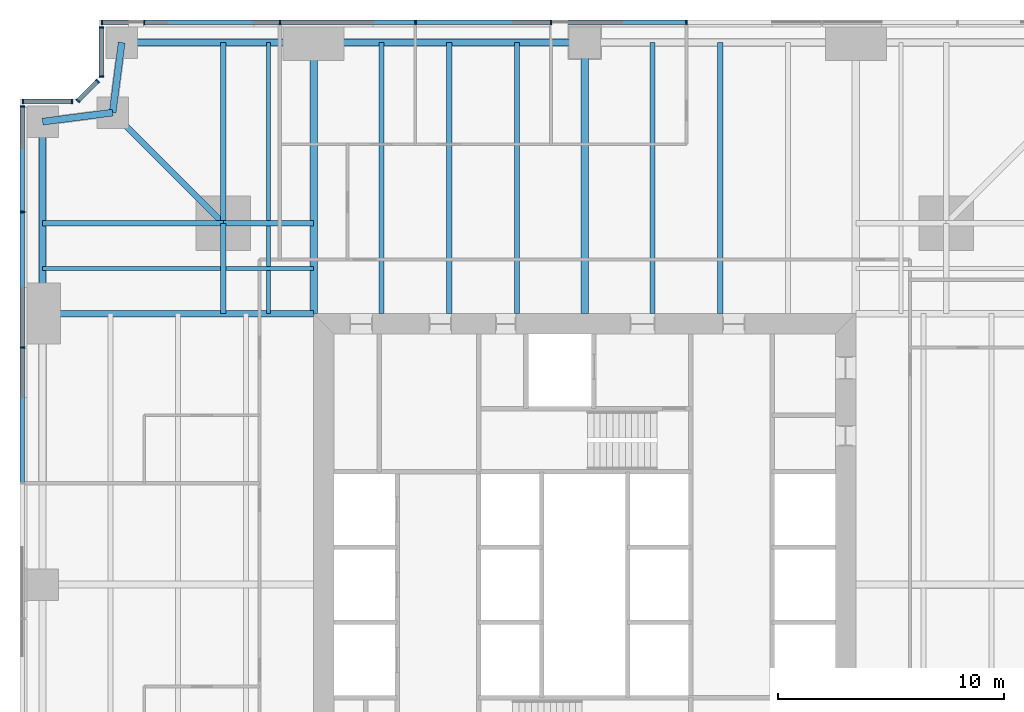
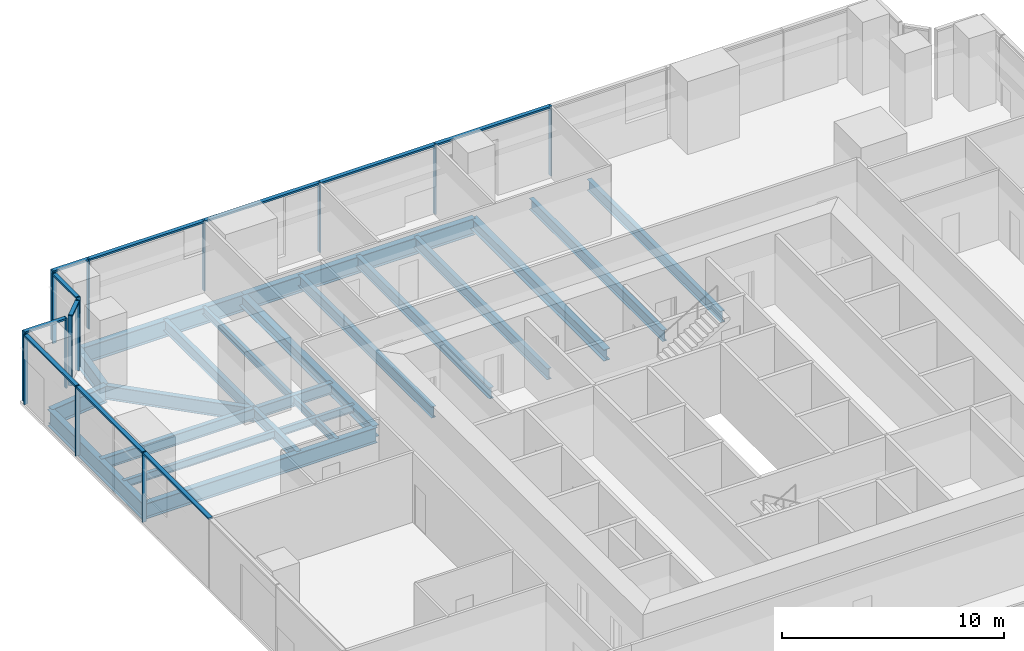
# One storey, part 6 of 14: 26 members, 23 beams, 5 elements without a shape of their own.
"""IFC4 building model written with IfcOpenShell, lengths in metres."""

from ifc_helpers import new_model, si_unit, direction, frame, origin, origin_2d, place, context, subcontext, project, spatial, rectangle, i_section, extrude, material, material_profile, profile_set, type_object, element, aggregate, save


model = new_model("IFC4")

# Units and contexts
model_context = context("Model", 3, precision=1e-05, world=origin(), true_north=direction((0.0, 1.0)))
body_context = subcontext(model_context, "Body", "Model", "MODEL_VIEW")
ifc_project = project(units=[si_unit("LENGTHUNIT", "METRE"), si_unit("AREAUNIT", "SQUARE_METRE"), si_unit("VOLUMEUNIT", "CUBIC_METRE"), si_unit("PLANEANGLEUNIT", "RADIAN"), si_unit("MASSUNIT", "GRAM", prefix="KILO")], contexts=[model_context])

# Site, building, storey
site_placement = place(None, origin())
site = spatial("IfcSite", under=ifc_project, at=site_placement, CompositionType="ELEMENT")
building_placement = place(site_placement, origin())
building = spatial("IfcBuilding", under=site, at=building_placement, Name="Fenwick Lantern Interchange", CompositionType="ELEMENT")
storey_placement = place(building_placement, frame((0.0, 0.0, 83.0)))
storey = spatial("IfcBuildingStorey", under=building, at=storey_placement, Name="L19", CompositionType="ELEMENT", Elevation=83.0)

# Beams
ifc_material_1 = material(Name="Steel ASTM A992 Grade 50", Category="steel")
ifc_material_profile_1 = material_profile(ifc_material_1, i_section(OverallWidth=0.3046875, OverallDepth=0.911865234375, WebThickness=0.015869140625, FlangeThickness=0.02392578125, at=origin_2d()), Name="W36X150")
ifc_profile_set_1 = profile_set([ifc_material_profile_1], Name="Steel ASTM A992 Grade 50")
beam_type_1 = type_object("IfcBeamType", Name="EDGE BEAM W36X150", PredefinedType="SPANDREL", material=ifc_profile_set_1)
beam_1_placement = place(storey_placement, frame((25.0, 49.0, -0.60595703125), z_axis=(-1.0, 0.0, 0.0), x_axis=(0.0, -1.0, 0.0)))
element("IfcBeam", 1, at=beam_1_placement, inside=storey, type_object=beam_type_1, Name="L19/FR/N/EB3", PredefinedType="SPANDREL", context=body_context, shape_type="SweptSolid", body=[
    extrude(i_section(OverallWidth=0.3046875, OverallDepth=0.911865234375, WebThickness=0.015869140625, FlangeThickness=0.02392578125, at=origin_2d()), origin(), (0.0, 0.0, 1.0), 12.0),
])
beam_2_placement = place(storey_placement, frame((13.0, 49.0, -0.60595703125), z_axis=(-1.0, 0.0, 0.0), x_axis=(0.0, -1.0, 0.0)))
element("IfcBeam", 2, at=beam_2_placement, inside=storey, type_object=beam_type_1, Name="L19/FR/N/EB4", PredefinedType="SPANDREL", context=body_context, shape_type="SweptSolid", body=[
    extrude(i_section(OverallWidth=0.3046875, OverallDepth=0.911865234375, WebThickness=0.015869140625, FlangeThickness=0.02392578125, at=origin_2d()), origin(), (0.0, 0.0, 1.0), 8.5),
])
for number, where, z_axis, x_axis, name in (
    (3, (4.5, 49.0, -0.60595703125), (-0.127936641807, -0.991782342897, 0.0), (0.991782342897, -0.127936641807, 0.0), "L19/FR/N/EBR1"),
    (4, (4.10009765625, 45.89990234375, -0.60595703125), (-0.991782342897, -0.127936641807, 0.0), (0.127936641807, -0.991782342897, 0.0), "L19/FR/N/EBR2"),
):
    element("IfcBeam", number, at=place(storey_placement, frame(where, z_axis=z_axis, x_axis=x_axis)), inside=storey, type_object=beam_type_1, Name=name, PredefinedType="SPANDREL", context=body_context, shape_type="SweptSolid", body=[
        extrude(i_section(OverallWidth=0.3046875, OverallDepth=0.911865234375, WebThickness=0.015869140625, FlangeThickness=0.02392578125, at=origin_2d()), origin(), (0.0, 0.0, 1.0), 3.125732421875),
    ])
beam_3_placement = place(storey_placement, frame((1.0, 45.5, -0.60595703125), z_axis=(0.0, -1.0, 0.0), x_axis=(1.0, 0.0, 0.0)))
element("IfcBeam", 5, at=beam_3_placement, inside=storey, type_object=beam_type_1, Name="L19/FR/W/EB1", PredefinedType="SPANDREL", context=body_context, shape_type="SweptSolid", body=[
    extrude(i_section(OverallWidth=0.3046875, OverallDepth=0.911865234375, WebThickness=0.015869140625, FlangeThickness=0.02392578125, at=origin_2d()), origin(), (0.0, 0.0, 1.0), 8.5),
])
ifc_material_profile_2 = material_profile(ifc_material_1, i_section(OverallWidth=0.22900390625, OverallDepth=0.612060546875, WebThickness=0.011962890625, FlangeThickness=0.01953125, at=origin_2d()), Name="W24X84")
ifc_profile_set_2 = profile_set([ifc_material_profile_2], Name="Steel ASTM A992 Grade 50")
beam_type_2 = type_object("IfcBeamType", Name="FLOOR BEAM W24X84", PredefinedType="BEAM", material=ifc_profile_set_2)
for number, where, z_axis, x_axis, name in (
    (6, (31.0, 49.0, -0.4560546875), (0.0, -1.0, 0.0), (1.0, 0.0, 0.0), "L19/FR/N/R03"),
    (7, (28.0, 49.0, -0.4560546875), (0.0, -1.0, 0.0), (1.0, 0.0, 0.0), "L19/FR/N/R04"),
    (8, (22.0, 49.0, -0.4560546875), (0.0, -1.0, 0.0), (1.0, 0.0, 0.0), "L19/FR/N/R06"),
    (9, (19.0, 49.0, -0.4560546875), (0.0, -1.0, 0.0), (1.0, 0.0, 0.0), "L19/FR/N/R07"),
    (10, (16.0, 49.0, -0.4560546875), (0.0, -1.0, 0.0), (1.0, 0.0, 0.0), "L19/FR/N/R08"),
):
    element("IfcBeam", number, at=place(storey_placement, frame(where, z_axis=z_axis, x_axis=x_axis)), inside=storey, type_object=beam_type_2, Name=name, PredefinedType="BEAM", context=body_context, shape_type="SweptSolid", body=[
        extrude(i_section(OverallWidth=0.22900390625, OverallDepth=0.612060546875, WebThickness=0.011962890625, FlangeThickness=0.01953125, at=origin_2d()), origin(), (0.0, 0.0, 1.0), 12.0),
    ])
ifc_material_profile_3 = material_profile(ifc_material_1, i_section(OverallWidth=0.177734375, OverallDepth=0.406494140625, WebThickness=0.0078125, FlangeThickness=0.012939453125, at=origin_2d()), Name="W16X40")
ifc_profile_set_3 = profile_set([ifc_material_profile_3], Name="Steel ASTM A992 Grade 50")
beam_type_3 = type_object("IfcBeamType", Name="INFILL BEAM W16X40", PredefinedType="JOIST", material=ifc_profile_set_3)
beam_4_placement = place(storey_placement, frame((1.0, 39.0, -0.353271484375), z_axis=(1.0, 0.0, 0.0), x_axis=(0.0, 1.0, 0.0)))
element("IfcBeam", 11, at=beam_4_placement, inside=storey, type_object=beam_type_3, Name="L19/FR/W/J1", PredefinedType="JOIST", context=body_context, shape_type="SweptSolid", body=[
    extrude(i_section(OverallWidth=0.177734375, OverallDepth=0.406494140625, WebThickness=0.0078125, FlangeThickness=0.012939453125, at=origin_2d()), origin(), (0.0, 0.0, 1.0), 7.885498046875),
])
beam_5_placement = place(storey_placement, frame((9.114501953125, 39.0, -0.353271484375), z_axis=(1.0, 0.0, 0.0), x_axis=(0.0, 1.0, 0.0)))
element("IfcBeam", 12, at=beam_5_placement, inside=storey, type_object=beam_type_3, Name="L19/FR/W/J2", PredefinedType="JOIST", context=body_context, shape_type="SweptSolid", body=[
    extrude(i_section(OverallWidth=0.177734375, OverallDepth=0.406494140625, WebThickness=0.0078125, FlangeThickness=0.012939453125, at=origin_2d()), origin(), (0.0, 0.0, 1.0), 3.885498046875),
])
beam_6_placement = place(storey_placement, frame((11.0, 49.0, -0.353271484375), z_axis=(0.0, -1.0, 0.0), x_axis=(1.0, 0.0, 0.0)))
element("IfcBeam", 13, at=beam_6_placement, inside=storey, type_object=beam_type_3, Name="L19/FR/W/J3", PredefinedType="JOIST", context=body_context, shape_type="SweptSolid", body=[
    extrude(i_section(OverallWidth=0.177734375, OverallDepth=0.406494140625, WebThickness=0.0078125, FlangeThickness=0.012939453125, at=origin_2d()), origin(), (0.0, 0.0, 1.0), 7.885498046875),
])
beam_7_placement = place(storey_placement, frame((11.0, 40.885498046875, -0.353271484375), z_axis=(0.0, -1.0, 0.0), x_axis=(1.0, 0.0, 0.0)))
element("IfcBeam", 14, at=beam_7_placement, inside=storey, type_object=beam_type_3, Name="L19/FR/W/J4", PredefinedType="JOIST", context=body_context, shape_type="SweptSolid", body=[
    extrude(i_section(OverallWidth=0.177734375, OverallDepth=0.406494140625, WebThickness=0.0078125, FlangeThickness=0.012939453125, at=origin_2d()), origin(), (0.0, 0.0, 1.0), 1.796630859375),
])
beam_8_placement = place(storey_placement, frame((11.0, 38.9111328125, -0.353271484375), z_axis=(0.0, -1.0, 0.0), x_axis=(1.0, 0.0, 0.0)))
element("IfcBeam", 15, at=beam_8_placement, inside=storey, type_object=beam_type_3, Name="L19/FR/W/J5", PredefinedType="JOIST", context=body_context, shape_type="SweptSolid", body=[
    extrude(i_section(OverallWidth=0.177734375, OverallDepth=0.406494140625, WebThickness=0.0078125, FlangeThickness=0.012939453125, at=origin_2d()), origin(), (0.0, 0.0, 1.0), 1.9111328125),
])
ifc_material_profile_4 = material_profile(ifc_material_1, i_section(OverallWidth=0.22900390625, OverallDepth=0.612060546875, WebThickness=0.011962890625, FlangeThickness=0.01953125, at=origin_2d()), Name="W24X84")
ifc_profile_set_4 = profile_set([ifc_material_profile_4], Name="Steel ASTM A992 Grade 50")
beam_type_4 = type_object("IfcBeamType", Name="MEGA COLUMN BEAM W24X84", PredefinedType="BEAM", material=ifc_profile_set_4)
for number, where, z_axis, x_axis, name in (
    (16, (9.0, 41.0, -0.4560546875), (-1.0, 0.0, 0.0), (0.0, -1.0, 0.0), "L19/FR/W/MB1"),
    (17, (9.0, 41.0, -0.4560546875), (0.0, 1.0, 0.0), (-1.0, 0.0, 0.0), "L19/FR/W/MB2"),
):
    element("IfcBeam", number, at=place(storey_placement, frame(where, z_axis=z_axis, x_axis=x_axis)), inside=storey, type_object=beam_type_4, Name=name, PredefinedType="BEAM", context=body_context, shape_type="SweptSolid", body=[
        extrude(i_section(OverallWidth=0.22900390625, OverallDepth=0.612060546875, WebThickness=0.011962890625, FlangeThickness=0.01953125, at=origin_2d()), origin(), (0.0, 0.0, 1.0), 8.0),
    ])
for number, where, z_axis, x_axis, name in (
    (18, (9.0, 41.0, -0.4560546875), (0.0, -1.0, 0.0), (1.0, 0.0, 0.0), "L19/FR/W/MB3"),
    (19, (9.0, 41.0, -0.4560546875), (1.0, 0.0, 0.0), (0.0, 1.0, 0.0), "L19/FR/W/MB4"),
):
    element("IfcBeam", number, at=place(storey_placement, frame(where, z_axis=z_axis, x_axis=x_axis)), inside=storey, type_object=beam_type_4, Name=name, PredefinedType="BEAM", context=body_context, shape_type="SweptSolid", body=[
        extrude(i_section(OverallWidth=0.22900390625, OverallDepth=0.612060546875, WebThickness=0.011962890625, FlangeThickness=0.01953125, at=origin_2d()), origin(), (0.0, 0.0, 1.0), 4.0),
    ])
ifc_material_profile_5 = material_profile(ifc_material_1, i_section(OverallWidth=0.32763671875, OverallDepth=0.622314453125, WebThickness=0.015380859375, FlangeThickness=0.0244140625, at=origin_2d()), Name="W24X131")
ifc_profile_set_5 = profile_set([ifc_material_profile_5], Name="Steel ASTM A992 Grade 50")
beam_type_5 = type_object("IfcBeamType", Name="MOMENT-CONNECTED GIRDER W24X131", PredefinedType="BEAM", material=ifc_profile_set_5)
for number, where, z_axis, x_axis, name in (
    (20, (25.0, 49.0, -0.461181640625), (0.0, -1.0, 0.0), (1.0, 0.0, 0.0), "L19/FR/N/R05"),
    (21, (13.0, 49.0, -0.461181640625), (0.0, -1.0, 0.0), (1.0, 0.0, 0.0), "L19/FR/N/R09"),
):
    element("IfcBeam", number, at=place(storey_placement, frame(where, z_axis=z_axis, x_axis=x_axis)), inside=storey, type_object=beam_type_5, Name=name, PredefinedType="BEAM", context=body_context, shape_type="SweptSolid", body=[
        extrude(i_section(OverallWidth=0.32763671875, OverallDepth=0.622314453125, WebThickness=0.015380859375, FlangeThickness=0.0244140625, at=origin_2d()), origin(), (0.0, 0.0, 1.0), 12.0),
    ])
ifc_material_profile_6 = material_profile(ifc_material_1, i_section(OverallWidth=0.2919921875, OverallDepth=0.845703125, WebThickness=0.015380859375, FlangeThickness=0.0244140625, at=origin_2d()), Name="W33X141")
ifc_profile_set_6 = profile_set([ifc_material_profile_6], Name="Steel ASTM A992 Grade 50")
beam_type_6 = type_object("IfcBeamType", Name="MOMENT-CONNECTED GIRDER W33X141", PredefinedType="BEAM", material=ifc_profile_set_6)
beam_9_placement = place(storey_placement, frame((1.0, 37.0, -0.572998046875), z_axis=(1.0, 0.0, 0.0), x_axis=(0.0, 1.0, 0.0)))
element("IfcBeam", 22, at=beam_9_placement, inside=storey, type_object=beam_type_6, Name="L19/FR/W/R01", PredefinedType="BEAM", context=body_context, shape_type="SweptSolid", body=[
    extrude(i_section(OverallWidth=0.2919921875, OverallDepth=0.845703125, WebThickness=0.015380859375, FlangeThickness=0.0244140625, at=origin_2d()), origin(), (0.0, 0.0, 1.0), 12.0),
])
ifc_material_profile_7 = material_profile(ifc_material_1, i_section(OverallWidth=0.2666015625, OverallDepth=0.7568359375, WebThickness=0.013916015625, FlangeThickness=0.019287109375, at=origin_2d()), Name="W30X108")
ifc_profile_set_7 = profile_set([ifc_material_profile_7], Name="Steel ASTM A992 Grade 50")
beam_type_7 = type_object("IfcBeamType", Name="NOTCH BEAM W30X108", PredefinedType="BEAM", material=ifc_profile_set_7)
beam_10_placement = place(storey_placement, frame((9.0, 41.0, -0.528564453125), z_axis=(-0.707106781187, 0.707106781187, 0.0), x_axis=(-0.707106781187, -0.707106781187, 0.0)))
element("IfcBeam", 23, at=beam_10_placement, inside=storey, type_object=beam_type_7, Name="L19/FR/W/TG", PredefinedType="BEAM", context=body_context, shape_type="SweptSolid", body=[
    extrude(i_section(OverallWidth=0.2666015625, OverallDepth=0.7568359375, WebThickness=0.013916015625, FlangeThickness=0.019287109375, at=origin_2d()), origin(), (0.0, 0.0, 1.0), 6.929443359375),
])

# Curtain wall, members
ifc_material_2 = material(Name="Aluminium curtain wall frame", Category="aluminium")
curtain_wall_type = type_object("IfcCurtainWallType", Name="OFFICE CURTAIN WALL", PredefinedType="USERDEFINED", material=ifc_material_2)
curtain_wall_1_placement = place(storey_placement, origin())
curtain_wall_1 = element("IfcCurtainWall", 24, at=curtain_wall_1_placement, inside=storey, type_object=curtain_wall_type, Name="Office curtain wall 09", ObjectType="OFFICE CURTAIN WALL", PredefinedType="USERDEFINED")
ifc_material_3 = material(Name="Aluminium extrusion", Category="aluminium")
ifc_material_profile_8 = material_profile(ifc_material_3, rectangle(XDim=0.199951171875, YDim=0.06494140625, at=origin_2d()), Name="OFFICE CURTAIN WALL MULLION 65 X 200")
ifc_profile_set_8 = profile_set([ifc_material_profile_8], Name="Aluminium extrusion")
member_type_1 = type_object("IfcMemberType", Name="OFFICE CURTAIN WALL MULLION 65 X 200", PredefinedType="MULLION", material=ifc_profile_set_8)
member_1_placement = place(storey_placement, frame((29.5, 49.89990234375, 0.0), z_axis=(0.0, 0.0, 1.0), x_axis=(0.0, -1.0, 0.0)))
member_1 = element("IfcMember", 25, at=member_1_placement, type_object=member_type_1, Name="L19/CW/09/M03", PredefinedType="MULLION", context=body_context, shape_type="SweptSolid", body=[
    extrude(rectangle(XDim=0.199951171875, YDim=0.06494140625, at=origin_2d()), origin(), (0.0, 0.0, 1.0), 3.85009765625),
])
member_2_placement = place(storey_placement, frame((23.5, 49.89990234375, 0.0), z_axis=(0.0, 0.0, 1.0), x_axis=(0.0, -1.0, 0.0)))
member_2 = element("IfcMember", 26, at=member_2_placement, type_object=member_type_1, Name="L19/CW/09/M04", PredefinedType="MULLION", context=body_context, shape_type="SweptSolid", body=[
    extrude(rectangle(XDim=0.199951171875, YDim=0.06494140625, at=origin_2d()), origin(), (0.0, 0.0, 1.0), 3.85009765625),
])
member_3_placement = place(storey_placement, frame((17.5, 49.89990234375, 0.0), z_axis=(0.0, 0.0, 1.0), x_axis=(0.0, -1.0, 0.0)))
member_3 = element("IfcMember", 27, at=member_3_placement, type_object=member_type_1, Name="L19/CW/09/M05", PredefinedType="MULLION", context=body_context, shape_type="SweptSolid", body=[
    extrude(rectangle(XDim=0.199951171875, YDim=0.06494140625, at=origin_2d()), origin(), (0.0, 0.0, 1.0), 3.85009765625),
])
member_4_placement = place(storey_placement, frame((11.5, 49.89990234375, 0.0), z_axis=(0.0, 0.0, 1.0), x_axis=(0.0, -1.0, 0.0)))
member_4 = element("IfcMember", 28, at=member_4_placement, type_object=member_type_1, Name="L19/CW/09/M06", PredefinedType="MULLION", context=body_context, shape_type="SweptSolid", body=[
    extrude(rectangle(XDim=0.199951171875, YDim=0.06494140625, at=origin_2d()), origin(), (0.0, 0.0, 1.0), 3.85009765625),
])
member_5_placement = place(storey_placement, frame((5.5, 49.89990234375, 0.0), z_axis=(0.0, 0.0, 1.0), x_axis=(0.0, -1.0, 0.0)))
member_5 = element("IfcMember", 29, at=member_5_placement, type_object=member_type_1, Name="L19/CW/09/M07", PredefinedType="MULLION", context=body_context, shape_type="SweptSolid", body=[
    extrude(rectangle(XDim=0.199951171875, YDim=0.06494140625, at=origin_2d()), origin(), (0.0, 0.0, 1.0), 3.85009765625),
])
member_6_placement = place(storey_placement, frame((3.632568359375, 49.89990234375, 0.0), z_axis=(0.0, 0.0, 1.0), x_axis=(0.0, -1.0, 0.0)))
member_6 = element("IfcMember", 30, at=member_6_placement, type_object=member_type_1, Name="L19/CW/09/M08", PredefinedType="MULLION", context=body_context, shape_type="SweptSolid", body=[
    extrude(rectangle(XDim=0.199951171875, YDim=0.06494140625, at=origin_2d()), origin(), (0.0, 0.0, 1.0), 3.85009765625),
])

curtain_wall_2_placement = place(storey_placement, origin())
curtain_wall_2 = element("IfcCurtainWall", 31, at=curtain_wall_2_placement, inside=storey, type_object=curtain_wall_type, Name="Office curtain wall 10", ObjectType="OFFICE CURTAIN WALL", PredefinedType="USERDEFINED")
member_7_placement = place(storey_placement, frame((3.60009765625, 49.66748046875, 0.0), z_axis=(0.0, 0.0, 1.0), x_axis=(1.0, 0.0, 0.0)))
member_7 = element("IfcMember", 32, at=member_7_placement, type_object=member_type_1, Name="L19/CW/10/M00", PredefinedType="MULLION", context=body_context, shape_type="SweptSolid", body=[
    extrude(rectangle(XDim=0.199951171875, YDim=0.06494140625, at=origin_2d()), origin(), (0.0, 0.0, 1.0), 3.85009765625),
])
member_8_placement = place(storey_placement, frame((3.60009765625, 47.490966796875, 0.0), z_axis=(0.0, 0.0, 1.0), x_axis=(1.0, 0.0, 0.0)))
member_8 = element("IfcMember", 33, at=member_8_placement, type_object=member_type_1, Name="L19/CW/10/M01", PredefinedType="MULLION", context=body_context, shape_type="SweptSolid", body=[
    extrude(rectangle(XDim=0.199951171875, YDim=0.06494140625, at=origin_2d()), origin(), (0.0, 0.0, 1.0), 3.85009765625),
])

curtain_wall_3_placement = place(storey_placement, origin())
curtain_wall_3 = element("IfcCurtainWall", 34, at=curtain_wall_3_placement, inside=storey, type_object=curtain_wall_type, Name="Office curtain wall 11", ObjectType="OFFICE CURTAIN WALL", PredefinedType="USERDEFINED")
member_9_placement = place(storey_placement, frame((3.435546875, 47.294189453125, 0.0), z_axis=(0.0, 0.0, 1.0), x_axis=(0.707106781187, -0.707106781187, 0.0)))
member_9 = element("IfcMember", 35, at=member_9_placement, type_object=member_type_1, Name="L19/CW/11/M00", PredefinedType="MULLION", context=body_context, shape_type="SweptSolid", body=[
    extrude(rectangle(XDim=0.199951171875, YDim=0.06494140625, at=origin_2d()), origin(), (0.0, 0.0, 1.0), 3.85009765625),
])
member_10_placement = place(storey_placement, frame((2.564453125, 46.423095703125, 0.0), z_axis=(0.0, 0.0, 1.0), x_axis=(0.707106781187, -0.707106781187, 0.0)))
member_10 = element("IfcMember", 36, at=member_10_placement, type_object=member_type_1, Name="L19/CW/11/M01", PredefinedType="MULLION", context=body_context, shape_type="SweptSolid", body=[
    extrude(rectangle(XDim=0.199951171875, YDim=0.06494140625, at=origin_2d()), origin(), (0.0, 0.0, 1.0), 3.85009765625),
])

curtain_wall_4_placement = place(storey_placement, origin())
curtain_wall_4 = element("IfcCurtainWall", 37, at=curtain_wall_4_placement, inside=storey, type_object=curtain_wall_type, Name="Office curtain wall 12", ObjectType="OFFICE CURTAIN WALL", PredefinedType="USERDEFINED")
member_11_placement = place(storey_placement, frame((2.308837890625, 46.39990234375, 0.0), z_axis=(0.0, 0.0, 1.0), x_axis=(0.0, -1.0, 0.0)))
member_11 = element("IfcMember", 38, at=member_11_placement, type_object=member_type_1, Name="L19/CW/12/M00", PredefinedType="MULLION", context=body_context, shape_type="SweptSolid", body=[
    extrude(rectangle(XDim=0.199951171875, YDim=0.06494140625, at=origin_2d()), origin(), (0.0, 0.0, 1.0), 3.85009765625),
])
member_12_placement = place(storey_placement, frame((0.132568359375, 46.39990234375, 0.0), z_axis=(0.0, 0.0, 1.0), x_axis=(0.0, -1.0, 0.0)))
member_12 = element("IfcMember", 39, at=member_12_placement, type_object=member_type_1, Name="L19/CW/12/M01", PredefinedType="MULLION", context=body_context, shape_type="SweptSolid", body=[
    extrude(rectangle(XDim=0.199951171875, YDim=0.06494140625, at=origin_2d()), origin(), (0.0, 0.0, 1.0), 3.85009765625),
])

curtain_wall_5_placement = place(storey_placement, origin())
curtain_wall_5 = element("IfcCurtainWall", 40, at=curtain_wall_5_placement, inside=storey, type_object=curtain_wall_type, Name="Office curtain wall 13", ObjectType="OFFICE CURTAIN WALL", PredefinedType="USERDEFINED")
member_13_placement = place(storey_placement, frame((0.10009765625, 46.16748046875, 0.0), z_axis=(0.0, 0.0, 1.0), x_axis=(1.0, 0.0, 0.0)))
member_13 = element("IfcMember", 41, at=member_13_placement, type_object=member_type_1, Name="L19/CW/13/M00", PredefinedType="MULLION", context=body_context, shape_type="SweptSolid", body=[
    extrude(rectangle(XDim=0.199951171875, YDim=0.06494140625, at=origin_2d()), origin(), (0.0, 0.0, 1.0), 3.85009765625),
])
member_14_placement = place(storey_placement, frame((0.10009765625, 41.5, 0.0), z_axis=(0.0, 0.0, 1.0), x_axis=(1.0, 0.0, 0.0)))
member_14 = element("IfcMember", 42, at=member_14_placement, type_object=member_type_1, Name="L19/CW/13/M01", PredefinedType="MULLION", context=body_context, shape_type="SweptSolid", body=[
    extrude(rectangle(XDim=0.199951171875, YDim=0.06494140625, at=origin_2d()), origin(), (0.0, 0.0, 1.0), 3.85009765625),
])
member_15_placement = place(storey_placement, frame((0.10009765625, 35.5, 0.0), z_axis=(0.0, 0.0, 1.0), x_axis=(1.0, 0.0, 0.0)))
member_15 = element("IfcMember", 43, at=member_15_placement, type_object=member_type_1, Name="L19/CW/13/M02", PredefinedType="MULLION", context=body_context, shape_type="SweptSolid", body=[
    extrude(rectangle(XDim=0.199951171875, YDim=0.06494140625, at=origin_2d()), origin(), (0.0, 0.0, 1.0), 3.85009765625),
])

# Member
ifc_material_profile_9 = material_profile(ifc_material_3, rectangle(XDim=0.199951171875, YDim=0.10009765625, at=origin_2d()), Name="OFFICE CURTAIN WALL TRANSOM 100 X 200")
ifc_profile_set_9 = profile_set([ifc_material_profile_9], Name="Aluminium extrusion")
member_type_2 = type_object("IfcMemberType", Name="OFFICE CURTAIN WALL TRANSOM 100 X 200", PredefinedType="MULLION", material=ifc_profile_set_9)
member_16_placement = place(storey_placement, frame((29.467529296875, 49.89990234375, 3.800048828125), z_axis=(-1.0, 0.0, 0.0), x_axis=(0.0, -1.0, 0.0)))
member_16 = element("IfcMember", 44, at=member_16_placement, type_object=member_type_2, Name="L19/CW/09/T03", PredefinedType="MULLION", context=body_context, shape_type="SweptSolid", body=[
    extrude(rectangle(XDim=0.199951171875, YDim=0.10009765625, at=origin_2d()), origin(), (0.0, 0.0, 1.0), 5.93505859375),
])

member_17_placement = place(storey_placement, frame((23.467529296875, 49.89990234375, 3.800048828125), z_axis=(-1.0, 0.0, 0.0), x_axis=(0.0, -1.0, 0.0)))
member_17 = element("IfcMember", 45, at=member_17_placement, type_object=member_type_2, Name="L19/CW/09/T04", PredefinedType="MULLION", context=body_context, shape_type="SweptSolid", body=[
    extrude(rectangle(XDim=0.199951171875, YDim=0.10009765625, at=origin_2d()), origin(), (0.0, 0.0, 1.0), 5.93505859375),
])

member_18_placement = place(storey_placement, frame((17.467529296875, 49.89990234375, 3.800048828125), z_axis=(-1.0, 0.0, 0.0), x_axis=(0.0, -1.0, 0.0)))
member_18 = element("IfcMember", 46, at=member_18_placement, type_object=member_type_2, Name="L19/CW/09/T05", PredefinedType="MULLION", context=body_context, shape_type="SweptSolid", body=[
    extrude(rectangle(XDim=0.199951171875, YDim=0.10009765625, at=origin_2d()), origin(), (0.0, 0.0, 1.0), 5.93505859375),
])

member_19_placement = place(storey_placement, frame((11.467529296875, 49.89990234375, 3.800048828125), z_axis=(-1.0, 0.0, 0.0), x_axis=(0.0, -1.0, 0.0)))
member_19 = element("IfcMember", 47, at=member_19_placement, type_object=member_type_2, Name="L19/CW/09/T06", PredefinedType="MULLION", context=body_context, shape_type="SweptSolid", body=[
    extrude(rectangle(XDim=0.199951171875, YDim=0.10009765625, at=origin_2d()), origin(), (0.0, 0.0, 1.0), 5.93505859375),
])

member_20_placement = place(storey_placement, frame((5.467529296875, 49.89990234375, 3.800048828125), z_axis=(-1.0, 0.0, 0.0), x_axis=(0.0, -1.0, 0.0)))
member_20 = element("IfcMember", 48, at=member_20_placement, type_object=member_type_2, Name="L19/CW/09/T07", PredefinedType="MULLION", context=body_context, shape_type="SweptSolid", body=[
    extrude(rectangle(XDim=0.199951171875, YDim=0.10009765625, at=origin_2d()), origin(), (0.0, 0.0, 1.0), 1.802490234375),
])

aggregate(curtain_wall_1, [member_1, member_2, member_3, member_4, member_5, member_6, member_16, member_17, member_18, member_19, member_20])

member_21_placement = place(storey_placement, frame((3.60009765625, 49.635009765625, 3.800048828125), z_axis=(0.0, -1.0, 0.0), x_axis=(1.0, 0.0, 0.0)))
member_21 = element("IfcMember", 49, at=member_21_placement, type_object=member_type_2, Name="L19/CW/10/T00", PredefinedType="MULLION", context=body_context, shape_type="SweptSolid", body=[
    extrude(rectangle(XDim=0.199951171875, YDim=0.10009765625, at=origin_2d()), origin(), (0.0, 0.0, 1.0), 2.111328125),
])

aggregate(curtain_wall_2, [member_7, member_8, member_21])

member_22_placement = place(storey_placement, frame((3.41259765625, 47.271240234375, 3.800048828125), z_axis=(-0.707106781187, -0.707106781187, 0.0), x_axis=(0.707106781187, -0.707106781187, 0.0)))
member_22 = element("IfcMember", 50, at=member_22_placement, type_object=member_type_2, Name="L19/CW/11/T00", PredefinedType="MULLION", context=body_context, shape_type="SweptSolid", body=[
    extrude(rectangle(XDim=0.199951171875, YDim=0.10009765625, at=origin_2d()), origin(), (0.0, 0.0, 1.0), 1.1669921875),
])

aggregate(curtain_wall_3, [member_9, member_10, member_22])

member_23_placement = place(storey_placement, frame((2.2763671875, 46.39990234375, 3.800048828125), z_axis=(-1.0, 0.0, 0.0), x_axis=(0.0, -1.0, 0.0)))
member_23 = element("IfcMember", 51, at=member_23_placement, type_object=member_type_2, Name="L19/CW/12/T00", PredefinedType="MULLION", context=body_context, shape_type="SweptSolid", body=[
    extrude(rectangle(XDim=0.199951171875, YDim=0.10009765625, at=origin_2d()), origin(), (0.0, 0.0, 1.0), 2.111328125),
])

aggregate(curtain_wall_4, [member_11, member_12, member_23])

member_24_placement = place(storey_placement, frame((0.10009765625, 46.135009765625, 3.800048828125), z_axis=(0.0, -1.0, 0.0), x_axis=(1.0, 0.0, 0.0)))
member_24 = element("IfcMember", 52, at=member_24_placement, type_object=member_type_2, Name="L19/CW/13/T00", PredefinedType="MULLION", context=body_context, shape_type="SweptSolid", body=[
    extrude(rectangle(XDim=0.199951171875, YDim=0.10009765625, at=origin_2d()), origin(), (0.0, 0.0, 1.0), 4.6025390625),
])

member_25_placement = place(storey_placement, frame((0.10009765625, 41.467529296875, 3.800048828125), z_axis=(0.0, -1.0, 0.0), x_axis=(1.0, 0.0, 0.0)))
member_25 = element("IfcMember", 53, at=member_25_placement, type_object=member_type_2, Name="L19/CW/13/T01", PredefinedType="MULLION", context=body_context, shape_type="SweptSolid", body=[
    extrude(rectangle(XDim=0.199951171875, YDim=0.10009765625, at=origin_2d()), origin(), (0.0, 0.0, 1.0), 5.93505859375),
])

member_26_placement = place(storey_placement, frame((0.10009765625, 35.467529296875, 3.800048828125), z_axis=(0.0, -1.0, 0.0), x_axis=(1.0, 0.0, 0.0)))
member_26 = element("IfcMember", 54, at=member_26_placement, type_object=member_type_2, Name="L19/CW/13/T02", PredefinedType="MULLION", context=body_context, shape_type="SweptSolid", body=[
    extrude(rectangle(XDim=0.199951171875, YDim=0.10009765625, at=origin_2d()), origin(), (0.0, 0.0, 1.0), 5.93505859375),
])

aggregate(curtain_wall_5, [member_13, member_14, member_15, member_24, member_25, member_26])

save(model, "model.ifc")
